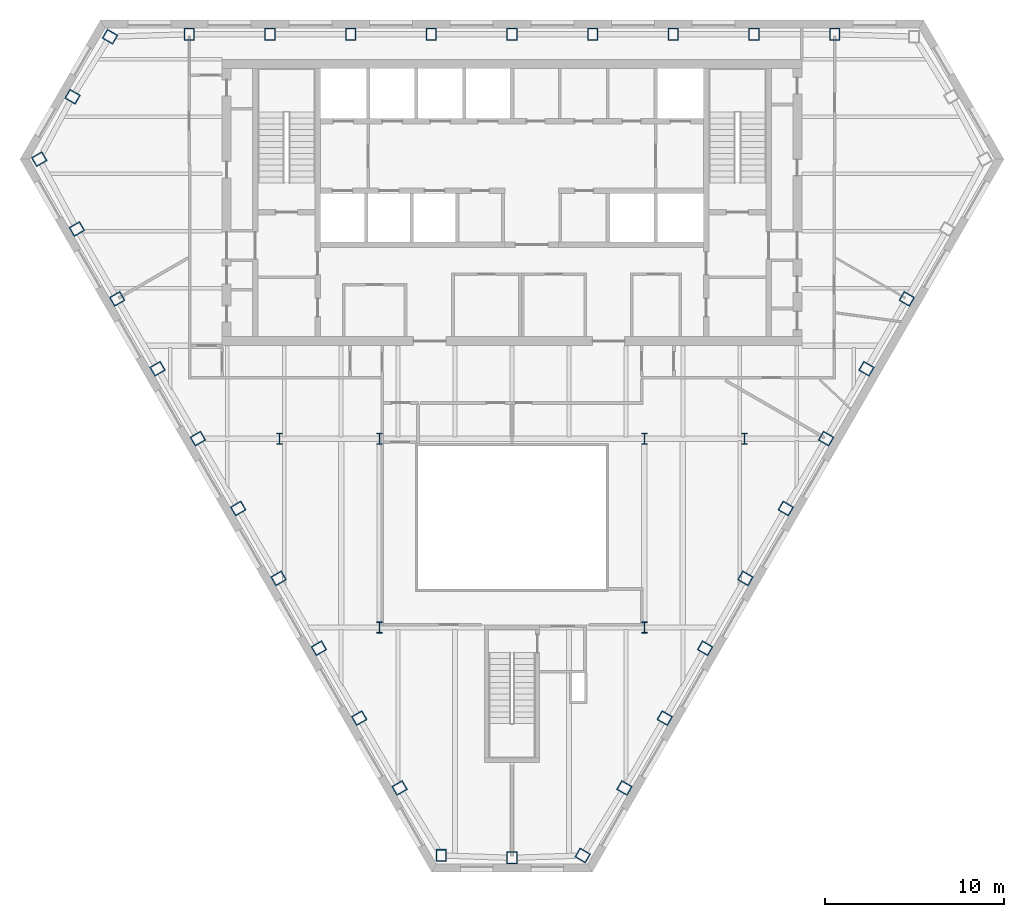
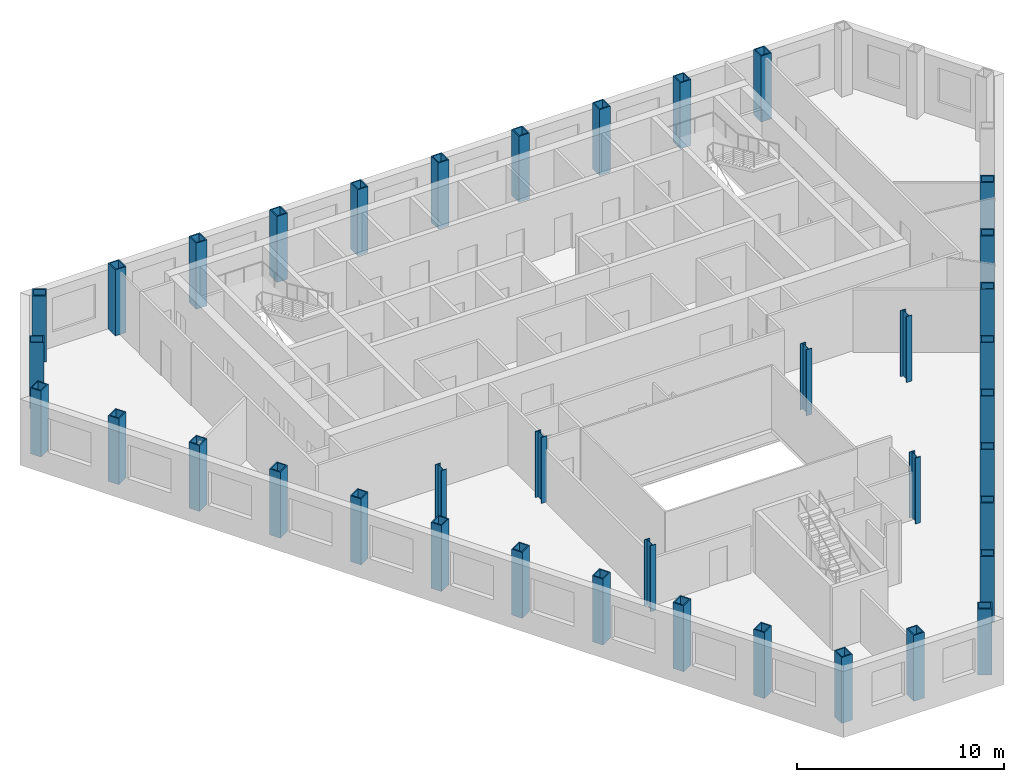
# One storey, part 1 of 11: 38 columns.
"""IFC4 building model written with IfcOpenShell, lengths in metres."""

import ifcopenshell
import ifcopenshell.guid

model = None  # the IFC model being written
_history = None  # IfcOwnerHistory: only IFC2X3 demands one
_inside = {}  # id of a spatial element -> (the spatial element, [elements in it])
_under = {}  # id of a project, library or spatial element -> (it, [spatial elements below it])
_declared = {}  # id of a project -> (the project, [libraries it declares])
_typed = {}  # id of a type object -> (the type object, [elements of that type])
_made_of = {}  # id of a material, layer set ... -> (it, [elements and type objects made of it])


def new_model(schema):
    """Start an empty IFC model of exactly this schema.

    Asked for "IFC4X3", IfcOpenShell would pick the latest addendum, in which some entities
    have other attributes; the version numbers below select the first issue.
    IFC2X3 requires an IfcOwnerHistory on every rooted entity: one is made here for all.
    """
    global model, _history
    if schema == "IFC4X3":
        model = ifcopenshell.file(schema_version=(4, 3, 0, 0))
    else:
        model = ifcopenshell.file(schema=schema)
    _inside.clear()
    _under.clear()
    _declared.clear()
    _typed.clear()
    _made_of.clear()
    _history = None
    if model.schema == "IFC2X3":
        org = make("IfcOrganization", Name="unknown")
        user = make(
            "IfcPersonAndOrganization",
            ThePerson=make("IfcPerson", FamilyName="unknown"),
            TheOrganization=org,
        )
        app = make(
            "IfcApplication",
            ApplicationDeveloper=org,
            Version="unknown",
            ApplicationFullName="unknown",
            ApplicationIdentifier="unknown",
        )
        _history = make(
            "IfcOwnerHistory",
            OwningUser=user,
            OwningApplication=app,
            ChangeAction="ADDED",
            CreationDate=0,
        )
    return model


def make(cls, **values):
    """One entity of the class cls with the attributes given. An attribute that is None is left unset."""
    return model.create_entity(
        cls, **{name: value for name, value in values.items() if value is not None}
    )


def rooted(cls, **values):
    """An entity with a GlobalId (a new one), such as an element, a storey or a relation."""
    return make(cls, GlobalId=ifcopenshell.guid.new(), OwnerHistory=_history, **values)


def si_unit(unit_type, name, prefix=None):
    """IfcSIUnit, for example si_unit("LENGTHUNIT", "METRE", prefix="MILLI")."""
    return make("IfcSIUnit", UnitType=unit_type, Prefix=prefix, Name=name)


def assignment(units):
    """IfcUnitAssignment: the units of a project."""
    return None if units is None else make("IfcUnitAssignment", Units=units)


def point(xyz):
    """IfcCartesianPoint."""
    return None if xyz is None else make("IfcCartesianPoint", Coordinates=xyz)


def direction(xyz):
    """IfcDirection."""
    return None if xyz is None else make("IfcDirection", DirectionRatios=xyz)


def frame(location, z_axis=None, x_axis=None):
    """IfcAxis2Placement3D, a coordinate frame: its origin and axes. An axis left out is left unset."""
    return make(
        "IfcAxis2Placement3D",
        Location=point(location),
        Axis=direction(z_axis),
        RefDirection=direction(x_axis),
    )


def frame_2d(location, x_axis=None):
    """IfcAxis2Placement2D, a coordinate frame in the plane: its origin and x axis."""
    return make(
        "IfcAxis2Placement2D", Location=point(location), RefDirection=direction(x_axis)
    )


def origin():
    """The frame at (0, 0, 0) with its axes left unset."""
    return frame((0.0, 0.0, 0.0))


def origin_2d():
    """The frame at (0, 0) in the plane with its x axis left unset."""
    return frame_2d((0.0, 0.0))


def place(relative_to, where):
    """IfcLocalPlacement: puts the frame where relative to a parent placement (None: the world)."""
    return make(
        "IfcLocalPlacement", PlacementRelTo=relative_to, RelativePlacement=where
    )


def context(
    kind, dimensions, precision=None, world=None, true_north=None, identifier=None
):
    """IfcGeometricRepresentationContext, for example the 3D "Model" context."""
    return make(
        "IfcGeometricRepresentationContext",
        ContextIdentifier=identifier,
        ContextType=kind,
        CoordinateSpaceDimension=dimensions,
        Precision=precision,
        WorldCoordinateSystem=world,
        TrueNorth=true_north,
    )


def subcontext(parent, identifier, kind, view, scale=None):
    """IfcGeometricRepresentationSubContext, for example "Body" below "Model"."""
    return make(
        "IfcGeometricRepresentationSubContext",
        ContextIdentifier=identifier,
        ContextType=kind,
        ParentContext=parent,
        TargetScale=scale,
        TargetView=view,
    )


def project(units=None, contexts=None):
    """IfcProject with its units and contexts."""
    return rooted(
        "IfcProject",
        Name="project",
        RepresentationContexts=contexts,
        UnitsInContext=assignment(units),
    )


def spatial(cls, under=None, at=None, **own):
    """A site, building, storey or space (cls), placed at a placement, below another one or the project."""
    s = rooted(cls, ObjectPlacement=at, **own)
    if under is not None:
        _under.setdefault(under.id(), (under, []))[1].append(s)
    return s


def profile(cls, at=None, kind="AREA", **sizes):
    """A parametric profile (cls). Its sizes go by their IFC names, for example OverallWidth=200.0."""
    return make(cls, ProfileType=kind, Position=at, **sizes)


def hollow_rectangle(**sizes):
    """IfcRectangleHollowProfileDef."""
    return profile("IfcRectangleHollowProfileDef", **sizes)


def i_section(**sizes):
    """IfcIShapeProfileDef."""
    return profile("IfcIShapeProfileDef", **sizes)


def extrude(swept, where, along, depth):
    """IfcExtrudedAreaSolid: the profile swept, set in the frame where, extruded along a direction by depth."""
    return make(
        "IfcExtrudedAreaSolid",
        SweptArea=swept,
        Position=where,
        ExtrudedDirection=direction(along),
        Depth=depth,
    )


def shape(context_of_items, identifier, shape_type, items):
    """IfcShapeRepresentation: the items that make up one representation, for example the "Body"."""
    return make(
        "IfcShapeRepresentation",
        ContextOfItems=context_of_items,
        RepresentationIdentifier=identifier,
        RepresentationType=shape_type,
        Items=items,
    )


def material(Name=None, Category=None):
    """IfcMaterial."""
    return make("IfcMaterial", Name=Name, Category=Category)


def material_profile(
    of_material, cross_section, Name=None, Category=None, Priority=None
):
    """IfcMaterialProfile: a cross section and its material."""
    return make(
        "IfcMaterialProfile",
        Name=Name,
        Material=of_material,
        Profile=cross_section,
        Priority=Priority,
        Category=Category,
    )


def profile_set(profiles, Name=None, composite=None):
    """IfcMaterialProfileSet."""
    return make(
        "IfcMaterialProfileSet",
        Name=Name,
        MaterialProfiles=profiles,
        CompositeProfile=composite,
    )


def made_of(thing, what):
    """Note that an element or type object is made of a material, layer set ...; save() writes the relation."""
    if what is not None:
        _made_of.setdefault(what.id(), (what, []))[1].append(thing)
    return thing


def type_object(cls, material=None, **own):
    """A type object (cls), such as IfcWallType, which elements share."""
    return made_of(rooted(cls, **own), material)


def element(
    cls,
    number,
    at=None,
    inside=None,
    cuts=None,
    type_object=None,
    material=None,
    context=None,
    identifier="Body",
    shape_type=None,
    held_by="IfcProductDefinitionShape",
    body=None,
    shapes=None,
    **own,
):
    """One element of the class cls, such as IfcWall. Its Tag is "e" and its number.

    at: its placement. inside: the storey or other place that contains it. cuts: it is an
    opening in that element (IfcRelVoidsElement). A single representation is given by context,
    identifier, shape_type and body (its items); several are given by shapes. held_by: the class
    of the entity that holds the representations. save() writes the other relations.
    """
    e = rooted(cls, Tag="e%d" % number, ObjectPlacement=at, **own)
    if body is not None:
        shapes = [shape(context, identifier, shape_type, body)]
    if shapes is not None:
        e.Representation = make(held_by, Representations=shapes)
    if inside is not None:
        _inside.setdefault(inside.id(), (inside, []))[1].append(e)
    if cuts is not None:
        rooted(
            "IfcRelVoidsElement", RelatingBuildingElement=cuts, RelatedOpeningElement=e
        )
    if type_object is not None:
        _typed.setdefault(type_object.id(), (type_object, []))[1].append(e)
    return made_of(e, material)


def aggregate(whole, parts):
    """IfcRelAggregates: a whole, such as a stair, and the parts it consists of."""
    return rooted("IfcRelAggregates", RelatingObject=whole, RelatedObjects=parts)


def save(model, path):
    """Write the relations noted so far, then the file.

    IfcRelAggregates (storeys below a building ...), IfcRelContainedInSpatialStructure (elements
    in a storey), IfcRelDefinesByType, IfcRelAssociatesMaterial and IfcRelDeclares: one each for
    every whole, place, type object, material and project.
    """
    for whole, parts in _under.values():
        aggregate(whole, parts)
    for where, things in _inside.values():
        rooted(
            "IfcRelContainedInSpatialStructure",
            RelatedElements=things,
            RelatingStructure=where,
        )
    for kind, things in _typed.values():
        rooted("IfcRelDefinesByType", RelatedObjects=things, RelatingType=kind)
    for what, things in _made_of.values():
        rooted("IfcRelAssociatesMaterial", RelatedObjects=things, RelatingMaterial=what)
    for by, libraries in _declared.values():
        rooted("IfcRelDeclares", RelatingContext=by, RelatedDefinitions=libraries)
    model.write(path)


model = new_model("IFC4")

# Units and contexts
model_context = context("Model", 3, precision=1e-05, world=origin(), true_north=direction((0.0, 1.0)))
body_context = subcontext(model_context, "Body", "Model", "MODEL_VIEW")
ifc_project = project(units=[si_unit("LENGTHUNIT", "METRE"), si_unit("AREAUNIT", "SQUARE_METRE"), si_unit("VOLUMEUNIT", "CUBIC_METRE"), si_unit("PLANEANGLEUNIT", "RADIAN"), si_unit("MASSUNIT", "GRAM", prefix="KILO")], contexts=[model_context])

# Site, building, storey
site_placement = place(None, origin())
site = spatial("IfcSite", under=ifc_project, at=site_placement, CompositionType="ELEMENT")
building_placement = place(site_placement, origin())
building = spatial("IfcBuilding", under=site, at=building_placement, Name="Njiva Tower", CompositionType="ELEMENT")
storey_placement = place(building_placement, frame((0.0, 0.0, 143.7)))
storey = spatial("IfcBuildingStorey", under=building, at=storey_placement, Name="L30", CompositionType="ELEMENT", Elevation=143.7)

# Columns
ifc_material = material(Name="Steel S355 J2", Category="steel")
ifc_material_profile_1 = material_profile(ifc_material, i_section(OverallWidth=0.305, OverallDepth=0.62, WebThickness=0.021, FlangeThickness=0.04, at=origin_2d()), Name="HEM 600")
ifc_profile_set_1 = profile_set([ifc_material_profile_1], Name="Steel S355 J2")
column_type_1 = type_object("IfcColumnType", Name="C10 Interior column HEM 600", PredefinedType="COLUMN", material=ifc_profile_set_1)
for number, where, z_axis, x_axis, name in (
    (1, (7.4, -3.2, 0.0), (0.0, 0.0, 1.0), (1.0, 0.0, 0.0), "Interior column S10-C37"),
    (2, (-7.4, -3.2, 0.0), (0.0, 0.0, 1.0), (1.0, 0.0, 0.0), "Interior column S10-C38"),
    (3, (7.4, -13.75, 0.0), (0.0, 0.0, 1.0), (1.0, 0.0, 0.0), "Interior column S10-C39"),
    (4, (-7.4, -13.75, 0.0), (0.0, 0.0, 1.0), (1.0, 0.0, 0.0), "Interior column S10-C40"),
    (5, (13.0, -3.2, 0.0), (0.0, 0.0, 1.0), (1.0, 0.0, 0.0), "Interior column S10-C41"),
    (6, (-13.0, -3.2, 0.0), (0.0, 0.0, 1.0), (1.0, 0.0, 0.0), "Interior column S10-C42"),
):
    element("IfcColumn", number, at=place(storey_placement, frame(where, z_axis=z_axis, x_axis=x_axis)), inside=storey, type_object=column_type_1, Name=name, PredefinedType="COLUMN", context=body_context, shape_type="SweptSolid", body=[
        extrude(i_section(OverallWidth=0.305, OverallDepth=0.62, WebThickness=0.021, FlangeThickness=0.04, at=origin_2d()), origin(), (0.0, 0.0, 1.0), 3.9),
    ])
ifc_material_profile_2 = material_profile(ifc_material, hollow_rectangle(XDim=0.6, YDim=0.7, WallThickness=0.06, at=origin_2d()), Name="BOX 700x600x60")
ifc_profile_set_2 = profile_set([ifc_material_profile_2], Name="Steel S355 J2")
column_type_2 = type_object("IfcColumnType", Name="C9 Perimeter tube column BOX 700x600x60", PredefinedType="COLUMN", material=ifc_profile_set_2)
for number, where, z_axis, x_axis, name in (
    (7, (18.034, 19.4, 0.0), (0.0, 0.0, 1.0), (-1.0, 0.0, 0.0), "Perimeter tube column S10-C02"),
    (8, (13.526, 19.4, 0.0), (0.0, 0.0, 1.0), (-1.0, 0.0, 0.0), "Perimeter tube column S10-C03"),
    (9, (9.017, 19.4, 0.0), (0.0, 0.0, 1.0), (-1.0, 0.0, 0.0), "Perimeter tube column S10-C04"),
    (10, (4.509, 19.4, 0.0), (0.0, 0.0, 1.0), (-1.0, 0.0, 0.0), "Perimeter tube column S10-C05"),
    (11, (0.0, 19.4, 0.0), (0.0, 0.0, 1.0), (-1.0, 0.0, 0.0), "Perimeter tube column S10-C06"),
    (12, (-4.509, 19.4, 0.0), (0.0, 0.0, 1.0), (-1.0, 0.0, 0.0), "Perimeter tube column S10-C07"),
    (13, (-9.017, 19.4, 0.0), (0.0, 0.0, 1.0), (-1.0, 0.0, 0.0), "Perimeter tube column S10-C08"),
    (14, (-13.526, 19.4, 0.0), (0.0, 0.0, 1.0), (-1.0, 0.0, 0.0), "Perimeter tube column S10-C09"),
    (15, (-18.034, 19.4, 0.0), (0.0, 0.0, 1.0), (-1.0, 0.0, 0.0), "Perimeter tube column S10-C10"),
    (16, (-22.466, 19.267, 0.0), (0.0, 0.0, 1.0), (-0.5, -0.866025403784, 0.0), "Perimeter tube column S10-C11"),
    (17, (-24.557, 15.912, 0.0), (0.0, 0.0, 1.0), (-0.5, -0.866025403784, 0.0), "Perimeter tube column S10-C12"),
    (18, (-26.418, 12.423, 0.0), (0.0, 0.0, 1.0), (0.5, -0.866025403784, 0.0), "Perimeter tube column S10-C13"),
    (19, (-24.317, 8.519, 0.0), (0.0, 0.0, 1.0), (0.5, -0.866025403784, 0.0), "Perimeter tube column S10-C14"),
    (20, (-22.063, 4.614, 0.0), (0.0, 0.0, 1.0), (0.5, -0.866025403784, 0.0), "Perimeter tube column S10-C15"),
    (21, (-19.808, 0.709, 0.0), (0.0, 0.0, 1.0), (0.5, -0.866025403784, 0.0), "Perimeter tube column S10-C16"),
    (22, (-17.554, -3.195, 0.0), (0.0, 0.0, 1.0), (0.5, -0.866025403784, 0.0), "Perimeter tube column S10-C17"),
    (23, (-15.3, -7.1, 0.0), (0.0, 0.0, 1.0), (0.5, -0.866025403784, 0.0), "Perimeter tube column S10-C18"),
    (24, (-13.045, -11.004, 0.0), (0.0, 0.0, 1.0), (0.5, -0.866025403784, 0.0), "Perimeter tube column S10-C19"),
    (25, (-10.791, -14.909, 0.0), (0.0, 0.0, 1.0), (0.5, -0.866025403784, 0.0), "Perimeter tube column S10-C20"),
    (26, (-8.537, -18.814, 0.0), (0.0, 0.0, 1.0), (0.5, -0.866025403784, 0.0), "Perimeter tube column S10-C21"),
    (27, (-6.282, -22.718, 0.0), (0.0, 0.0, 1.0), (0.5, -0.866025403784, 0.0), "Perimeter tube column S10-C22"),
    (28, (-3.951, -26.49, 0.0), (0.0, 0.0, 1.0), (1.0, 0.0, 0.0), "Perimeter tube column S10-C23"),
    (29, (0.0, -26.623, 0.0), (0.0, 0.0, 1.0), (1.0, 0.0, 0.0), "Perimeter tube column S10-C24"),
    (30, (3.951, -26.49, 0.0), (0.0, 0.0, 1.0), (0.5, 0.866025403784, 0.0), "Perimeter tube column S10-C25"),
    (31, (6.282, -22.718, 0.0), (0.0, 0.0, 1.0), (0.5, 0.866025403784, 0.0), "Perimeter tube column S10-C26"),
    (32, (8.537, -18.814, 0.0), (0.0, 0.0, 1.0), (0.5, 0.866025403784, 0.0), "Perimeter tube column S10-C27"),
    (33, (10.791, -14.909, 0.0), (0.0, 0.0, 1.0), (0.5, 0.866025403784, 0.0), "Perimeter tube column S10-C28"),
    (34, (13.045, -11.004, 0.0), (0.0, 0.0, 1.0), (0.5, 0.866025403784, 0.0), "Perimeter tube column S10-C29"),
    (35, (15.3, -7.1, 0.0), (0.0, 0.0, 1.0), (0.5, 0.866025403784, 0.0), "Perimeter tube column S10-C30"),
    (36, (17.554, -3.195, 0.0), (0.0, 0.0, 1.0), (0.5, 0.866025403784, 0.0), "Perimeter tube column S10-C31"),
    (37, (19.808, 0.709, 0.0), (0.0, 0.0, 1.0), (0.5, 0.866025403784, 0.0), "Perimeter tube column S10-C32"),
    (38, (22.063, 4.614, 0.0), (0.0, 0.0, 1.0), (0.5, 0.866025403784, 0.0), "Perimeter tube column S10-C33"),
):
    element("IfcColumn", number, at=place(storey_placement, frame(where, z_axis=z_axis, x_axis=x_axis)), inside=storey, type_object=column_type_2, Name=name, PredefinedType="COLUMN", context=body_context, shape_type="SweptSolid", body=[
        extrude(hollow_rectangle(XDim=0.6, YDim=0.7, WallThickness=0.06, at=origin_2d()), origin(), (0.0, 0.0, 1.0), 3.9),
    ])

save(model, "model.ifc")
